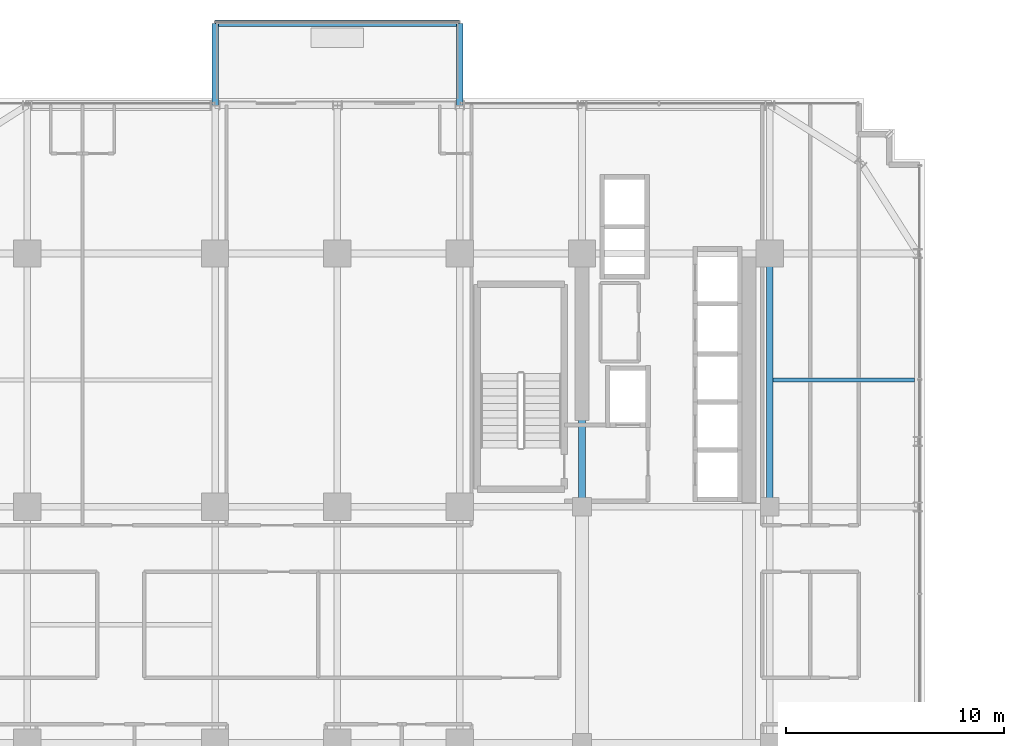
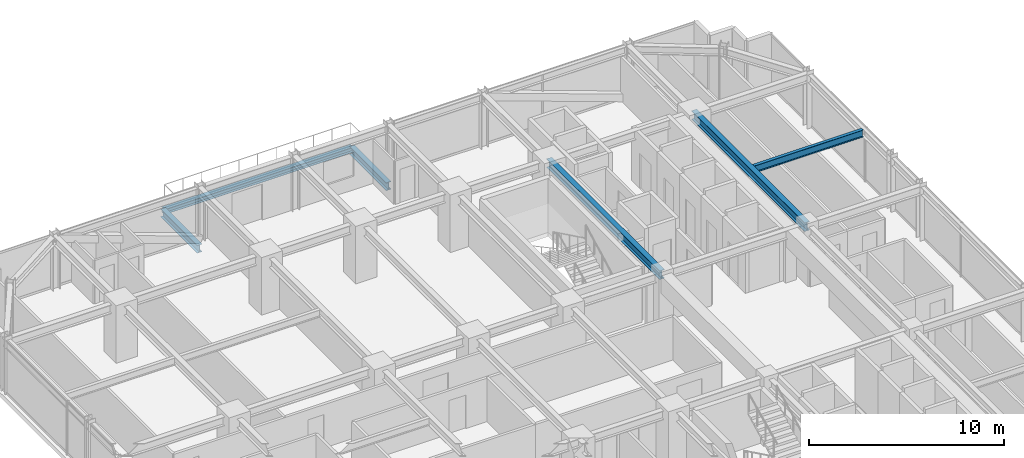
# One storey, part 22 of 41: 6 beams.
"""IFC4 building model written with IfcOpenShell, lengths in metres."""

from ifc_helpers import new_model, si_unit, direction, frame, origin, origin_2d, place, context, subcontext, project, spatial, i_section, extrude, source, transform, mapped, material, material_profile, profile_set, type_object, element, save


model = new_model("IFC4")

# Units and contexts
model_context = context("Model", 3, precision=1e-05, world=origin(), true_north=direction((0.0, 1.0)))
body_context = subcontext(model_context, "Body", "Model", "MODEL_VIEW")
ifc_project = project(units=[si_unit("LENGTHUNIT", "METRE"), si_unit("AREAUNIT", "SQUARE_METRE"), si_unit("VOLUMEUNIT", "CUBIC_METRE"), si_unit("PLANEANGLEUNIT", "RADIAN"), si_unit("MASSUNIT", "GRAM", prefix="KILO")], contexts=[model_context])

# Site, building, storey
site_placement = place(None, origin())
site = spatial("IfcSite", under=ifc_project, at=site_placement, CompositionType="ELEMENT")
building_placement = place(site_placement, origin())
building = spatial("IfcBuilding", under=site, at=building_placement, Name="Nahalor Promenade Grand Hotel", CompositionType="ELEMENT")
storey_placement = place(building_placement, frame((0.0, 0.0, 113.85009765625)))
storey = spatial("IfcBuildingStorey", under=building, at=storey_placement, Name="L28", CompositionType="ELEMENT", Elevation=113.85009765625)

# Beams
ifc_material = material(Name="Steel S355JR", Category="steel")
ifc_material_profile_1 = material_profile(ifc_material, i_section(OverallWidth=0.3, OverallDepth=0.32, WebThickness=0.0115, FlangeThickness=0.0205, at=origin_2d()), Name="HEB 320")
ifc_profile_set_1 = profile_set([ifc_material_profile_1], Name="Steel S355JR")
beam_type_1 = type_object("IfcBeamType", Name="Beam-BalcEdge-HEB320", PredefinedType="SPANDREL", material=ifc_profile_set_1)
shared_shape_1 = source(origin(), body_context, "Body", "SweptSolid", [
    extrude(i_section(OverallWidth=0.3, OverallDepth=0.32, WebThickness=0.0115, FlangeThickness=0.0205, at=origin_2d()), origin(), (0.0, 0.0, 1.0), 11.199951171875),
])
beam_1_placement = place(storey_placement, frame((-8.39990234375, 27.5400390625, -0.440185546875), z_axis=(1.0, 0.0, 0.0), x_axis=(0.0, 1.0, 0.0)))
element("IfcBeam", 1, at=beam_1_placement, inside=storey, type_object=beam_type_1, Name="BM-L28-BC-01-F", PredefinedType="SPANDREL", context=body_context, shape_type="MappedRepresentation", body=[
    mapped(shared_shape_1, transform((0.0, 0.0, 0.0), scale=1.0)),
])
ifc_material_profile_2 = material_profile(ifc_material, i_section(OverallWidth=0.3, OverallDepth=0.5, WebThickness=0.0145, FlangeThickness=0.028, at=origin_2d()), Name="HEB 500")
ifc_profile_set_2 = profile_set([ifc_material_profile_2], Name="Steel S355JR")
beam_type_2 = type_object("IfcBeamType", Name="Beam-Outrigger-HEB500", PredefinedType="BEAM", material=ifc_profile_set_2)
shared_shape_2 = source(origin(), body_context, "Body", "SweptSolid", [
    extrude(i_section(OverallWidth=0.3, OverallDepth=0.5, WebThickness=0.0145, FlangeThickness=0.028, at=origin_2d()), origin(), (0.0, 0.0, 1.0), 3.760009765625),
])
for number, where, z_axis, x_axis, name in (
    (2, (-8.39990234375, 23.780029296875, -0.530029296875), (0.0, 1.0, 0.0), (-1.0, 0.0, 0.0), "BM-L28-BC-01-1"),
    (3, (2.800048828125, 23.780029296875, -0.530029296875), (0.0, 1.0, 0.0), (-1.0, 0.0, 0.0), "BM-L28-BC-01-2"),
):
    element("IfcBeam", number, at=place(storey_placement, frame(where, z_axis=z_axis, x_axis=x_axis)), inside=storey, type_object=beam_type_2, Name=name, PredefinedType="BEAM", context=body_context, shape_type="MappedRepresentation", body=[
        mapped(shared_shape_2, transform((0.0, 0.0, 0.0), scale=1.0)),
    ])
ifc_material_profile_3 = material_profile(ifc_material, i_section(OverallWidth=0.3, OverallDepth=0.55, WebThickness=0.015, FlangeThickness=0.029, at=origin_2d()), Name="HEB 550")
ifc_profile_set_3 = profile_set([ifc_material_profile_3], Name="Steel S355JR")
beam_type_3 = type_object("IfcBeamType", Name="Beam-Girder-HEB550", PredefinedType="BEAM", material=ifc_profile_set_3)
shared_shape_3 = source(origin(), body_context, "Body", "SweptSolid", [
    extrude(i_section(OverallWidth=0.3, OverallDepth=0.55, WebThickness=0.015, FlangeThickness=0.029, at=origin_2d()), origin(), (0.0, 0.0, 1.0), 11.60009765625),
])
for number, where, z_axis, x_axis, name in (
    (4, (8.39990234375, 5.39990234375, 3.10498046875), (0.0, 1.0, 0.0), (-1.0, 0.0, 0.0), "BM-L28-GY-4-3"),
    (5, (17.0, 5.39990234375, 3.10498046875), (0.0, 1.0, 0.0), (-1.0, 0.0, 0.0), "BM-L28-GY-5-3"),
):
    element("IfcBeam", number, at=place(storey_placement, frame(where, z_axis=z_axis, x_axis=x_axis)), inside=storey, type_object=beam_type_3, Name=name, PredefinedType="BEAM", context=body_context, shape_type="MappedRepresentation", body=[
        mapped(shared_shape_3, transform((0.0, 0.0, 0.0), scale=1.0)),
    ])
ifc_material_profile_4 = material_profile(ifc_material, i_section(OverallWidth=0.19, OverallDepth=0.45, WebThickness=0.0094, FlangeThickness=0.0146, at=origin_2d()), Name="IPE 450")
ifc_profile_set_4 = profile_set([ifc_material_profile_4], Name="Steel S355JR")
beam_type_4 = type_object("IfcBeamType", Name="Beam-Joist-IPE450", PredefinedType="JOIST", material=ifc_profile_set_4)
shared_shape_4 = source(origin(), body_context, "Body", "SweptSolid", [
    extrude(i_section(OverallWidth=0.19, OverallDepth=0.45, WebThickness=0.0094, FlangeThickness=0.0146, at=origin_2d()), origin(), (0.0, 0.0, 1.0), 6.47998046875),
])
beam_2_placement = place(storey_placement, frame((17.14990234375, 11.199951171875, 3.15478515625), z_axis=(1.0, 0.0, 0.0), x_axis=(0.0, 1.0, 0.0)))
element("IfcBeam", 6, at=beam_2_placement, inside=storey, type_object=beam_type_4, Name="BM-L28-JSE-1-2", PredefinedType="JOIST", context=body_context, shape_type="MappedRepresentation", body=[
    mapped(shared_shape_4, transform((0.0, 0.0, 0.0), scale=1.0)),
])

save(model, "model.ifc")
